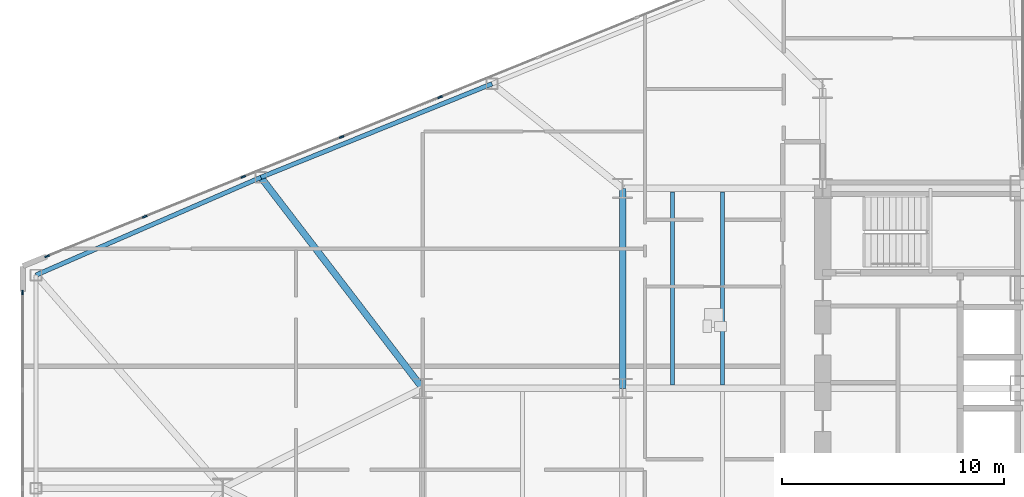
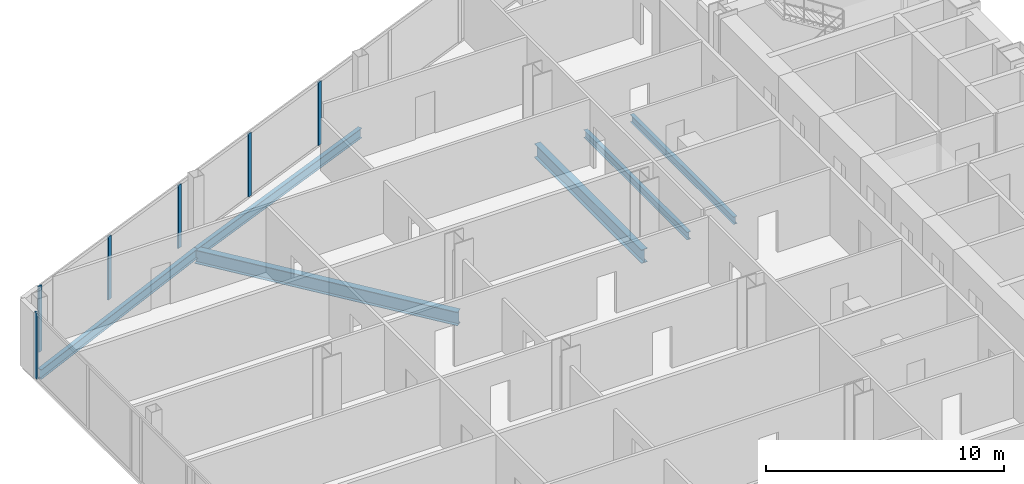
# One storey, part 6 of 25: 6 beams, 6 members, 2 elements without a shape of their own.
"""IFC4 building model written with IfcOpenShell, lengths in metres."""

from ifc_helpers import new_model, si_unit, direction, frame, origin, origin_2d, place, context, subcontext, project, spatial, rectangle, i_section, extrude, source, transform, mapped, material, layer, layer_set, material_profile, profile_set, type_object, type_shapes, element, aggregate, save


model = new_model("IFC4")

# Units and contexts
model_context = context("Model", 3, precision=1e-05, world=origin(), true_north=direction((0.0, 1.0)))
body_context = subcontext(model_context, "Body", "Model", "MODEL_VIEW")
ifc_project = project(units=[si_unit("LENGTHUNIT", "METRE"), si_unit("AREAUNIT", "SQUARE_METRE"), si_unit("VOLUMEUNIT", "CUBIC_METRE"), si_unit("PLANEANGLEUNIT", "RADIAN"), si_unit("MASSUNIT", "GRAM", prefix="KILO")], contexts=[model_context])

# Site, building, storey
site_placement = place(None, origin())
site = spatial("IfcSite", under=ifc_project, at=site_placement, CompositionType="ELEMENT")
building_placement = place(site_placement, origin())
building = spatial("IfcBuilding", under=site, at=building_placement, Name="Seokmaru Belvedere", CompositionType="ELEMENT")
storey_placement = place(building_placement, frame((0.0, 0.0, 47.699951171875)))
storey = spatial("IfcBuildingStorey", under=building, at=storey_placement, Name="L12", CompositionType="ELEMENT", Elevation=47.699951171875)

# Beams
ifc_material_1 = material(Name="Steel SM355 (355 MPa)", Category="steel")
ifc_material_profile_1 = material_profile(ifc_material_1, i_section(OverallWidth=0.300048828125, OverallDepth=0.699951171875, WebThickness=0.012939453125, FlangeThickness=0.02392578125, at=origin_2d()), Name="H-700x300x13x24")
ifc_profile_set_1 = profile_set([ifc_material_profile_1], Name="Steel SM355 (355 MPa)")
beam_type_1 = type_object("IfcBeamType", Name="Primary Floor Girder H-700", PredefinedType="BEAM", material=ifc_profile_set_1)
shared_shape_1 = source(origin(), body_context, "Body", "SweptSolid", [
    extrude(i_section(OverallWidth=0.300048828125, OverallDepth=0.699951171875, WebThickness=0.012939453125, FlangeThickness=0.02392578125, at=origin_2d()), origin(), (0.0, 0.0, 1.0), 9.0),
])
beam_1_placement = place(storey_placement, frame((-45.5, 4.5, -0.570068359375), z_axis=(0.0, 1.0, 0.0), x_axis=(-1.0, 0.0, 0.0)))
element("IfcBeam", 1, at=beam_1_placement, inside=storey, type_object=beam_type_1, Name="L12 W Interior Grid Girder 3", PredefinedType="BEAM", context=body_context, shape_type="MappedRepresentation", body=[
    mapped(shared_shape_1, transform((0.0, 0.0, 0.0), scale=1.0)),
])
ifc_material_profile_2 = material_profile(ifc_material_1, i_section(OverallWidth=0.18505859375, OverallDepth=0.389892578125, WebThickness=0.008056640625, FlangeThickness=0.011962890625, at=origin_2d()), Name="H-390x185x8x12")
ifc_profile_set_2 = profile_set([ifc_material_profile_2], Name="Steel SM355 (355 MPa)")
beam_type_2 = type_object("IfcBeamType", Name="Secondary Floor Joist H-350", PredefinedType="JOIST", material=ifc_profile_set_2)
shared_shape_2 = source(origin(), body_context, "Body", "SweptSolid", [
    extrude(i_section(OverallWidth=0.18505859375, OverallDepth=0.389892578125, WebThickness=0.008056640625, FlangeThickness=0.011962890625, at=origin_2d()), origin(), (0.0, 0.0, 1.0), 8.68994140625),
])
type_shapes(beam_type_2, [shared_shape_2])
for number, where, z_axis, x_axis, name in (
    (2, (-43.25, 4.655029296875, -0.4150390625), (0.0, 1.0, 0.0), (-1.0, 0.0, 0.0), "L12 W Wing Inner Secondary Joist 2"),
    (3, (-41.0, 4.655029296875, -0.4150390625), (0.0, 1.0, 0.0), (-1.0, 0.0, 0.0), "L12 W Secondary Floor Joist 3"),
):
    element("IfcBeam", number, at=place(storey_placement, frame(where, z_axis=z_axis, x_axis=x_axis)), inside=storey, type_object=beam_type_2, Name=name, PredefinedType="JOIST", context=body_context, shape_type="MappedRepresentation", body=[
        mapped(shared_shape_2, transform((0.0, 0.0, 0.0), scale=1.0)),
    ])
ifc_material_profile_3 = material_profile(ifc_material_1, i_section(OverallWidth=0.199951171875, OverallDepth=0.5, WebThickness=0.010009765625, FlangeThickness=0.01611328125, at=origin_2d()), Name="H-500x200x10x16")
ifc_profile_set_3 = profile_set([ifc_material_profile_3], Name="Steel SM355 (355 MPa)")
beam_type_3 = type_object("IfcBeamType", Name="Perimeter Spandrel Beam H-500", PredefinedType="SPANDREL", material=ifc_profile_set_3)
shared_shape_3 = source(origin(), body_context, "Body", "SweptSolid", [
    extrude(i_section(OverallWidth=0.199951171875, OverallDepth=0.5, WebThickness=0.010009765625, FlangeThickness=0.01611328125, at=origin_2d()), origin(), (0.0, 0.0, 1.0), 11.220703125),
])
beam_2_placement = place(storey_placement, frame((-51.378173828125, 18.2041015625, -0.469970703125), z_axis=(-0.926944290816, -0.375198989503, 0.0), x_axis=(0.375198989503, -0.926944290816, 0.0)))
element("IfcBeam", 4, at=beam_2_placement, inside=storey, type_object=beam_type_3, Name="L12 W Faceted Flank Spandrel N-3", PredefinedType="SPANDREL", context=body_context, shape_type="MappedRepresentation", body=[
    mapped(shared_shape_3, transform((0.0, 0.0, 0.0), scale=1.0)),
])
shared_shape_4 = source(origin(), body_context, "Body", "SweptSolid", [
    extrude(i_section(OverallWidth=0.199951171875, OverallDepth=0.5, WebThickness=0.010009765625, FlangeThickness=0.01611328125, at=origin_2d()), origin(), (0.0, 0.0, 1.0), 11.035400390625),
])
type_shapes(beam_type_3, [shared_shape_3, shared_shape_4])
beam_3_placement = place(storey_placement, frame((-61.779052734375, 13.994140625, -0.469970703125), z_axis=(-0.917134058682, -0.398578873507, 0.0), x_axis=(0.398578873507, -0.917134058682, 0.0)))
element("IfcBeam", 5, at=beam_3_placement, inside=storey, type_object=beam_type_3, Name="L12 W Faceted Flank Spandrel N-4", PredefinedType="SPANDREL", context=body_context, shape_type="MappedRepresentation", body=[
    mapped(shared_shape_4, transform((0.0, 0.0, 0.0), scale=1.0)),
])
shared_shape_5 = source(origin(), body_context, "Body", "SweptSolid", [
    extrude(i_section(OverallWidth=0.300048828125, OverallDepth=0.699951171875, WebThickness=0.012939453125, FlangeThickness=0.02392578125, at=origin_2d()), origin(), (0.0, 0.0, 1.0), 11.96337890625),
])
type_shapes(beam_type_1, [shared_shape_1, shared_shape_5])
beam_4_placement = place(storey_placement, frame((-61.779052734375, 13.994140625, -0.570068359375), z_axis=(0.608442682624, -0.793597821294, 0.0), x_axis=(0.793597821294, 0.608442682624, 0.0)))
element("IfcBeam", 6, at=beam_4_placement, inside=storey, type_object=beam_type_1, Name="L12 W Flank Radial Floor Girder N-3", PredefinedType="BEAM", context=body_context, shape_type="MappedRepresentation", body=[
    mapped(shared_shape_5, transform((0.0, 0.0, 0.0), scale=1.0)),
])

# Curtain wall, member
ifc_material_2 = material(Name="Bronze Triple Insulating Glass", Category="glass")
ifc_layer = layer(ifc_material_2, 0.2099609375)
ifc_layer_set = layer_set([ifc_layer], Name="Bronze Triple Insulating Glass")
curtain_wall_type = type_object("IfcCurtainWallType", Name="Low-Rise Faceted Crystal Curtain Wall System CW-2", PredefinedType="NOTDEFINED", material=ifc_layer_set)
curtain_wall_1_placement = place(storey_placement, origin())
curtain_wall_1 = element("IfcCurtainWall", 7, at=curtain_wall_1_placement, inside=storey, type_object=curtain_wall_type, Name="L12 Curtain Wall WF3", PredefinedType="NOTDEFINED")
ifc_material_3 = material(Name="Anodised Bronze Aluminium", Category="aluminium")
ifc_material_profile_4 = material_profile(ifc_material_3, rectangle(XDim=0.074951171875, YDim=0.2099609375, at=origin_2d()), Name="CW-M-75x210")
ifc_profile_set_4 = profile_set([ifc_material_profile_4], Name="Anodised Bronze Aluminium")
member_type = type_object("IfcMemberType", Name="Bronze Unitised Mullion 75x210", PredefinedType="MULLION", material=ifc_profile_set_4)
shared_shape_6 = source(origin(), body_context, "Body", "SweptSolid", [
    extrude(rectangle(XDim=0.074951171875, YDim=0.2099609375, at=origin_2d()), origin(), (0.0, 0.0, 1.0), 3.380126953125),
])
member_1_placement = place(storey_placement, frame((-71.399169921875, 10.445556640625, 0.0), z_axis=(0.0, 0.0, 1.0), x_axis=(0.375192321888, -0.926946989637, 0.0)))
member_1 = element("IfcMember", 8, at=member_1_placement, type_object=member_type, Name="CW:L12:WF3 Mullion 10", PredefinedType="MULLION", context=body_context, shape_type="MappedRepresentation", body=[
    mapped(shared_shape_6, transform((0.0, 0.0, 0.0), scale=1.0)),
])

curtain_wall_2_placement = place(storey_placement, origin())
curtain_wall_2 = element("IfcCurtainWall", 9, at=curtain_wall_2_placement, inside=storey, type_object=curtain_wall_type, Name="L12 Curtain Wall WF4", PredefinedType="NOTDEFINED")
member_2_placement = place(storey_placement, frame((-72.5, 8.8125, 0.0), z_axis=(0.0, 0.0, 1.0), x_axis=(1.0, 0.0, 0.0)))
member_2 = element("IfcMember", 10, at=member_2_placement, type_object=member_type, Name="CW:L12:WF4 Mullion 1", PredefinedType="MULLION", context=body_context, shape_type="MappedRepresentation", body=[
    mapped(shared_shape_6, transform((0.0, 0.0, 0.0), scale=1.0)),
])
aggregate(curtain_wall_2, [member_2])

# Member
shared_shape_7 = source(origin(), body_context, "Body", "SweptSolid", [
    extrude(rectangle(XDim=0.074951171875, YDim=0.2099609375, at=origin_2d()), origin(), (0.0, 0.0, 1.0), 3.239990234375),
])
type_shapes(member_type, [shared_shape_6, shared_shape_7])
member_3_placement = place(storey_placement, frame((-53.71484375, 17.603515625, 0.070068359375), z_axis=(0.0, 0.0, 1.0), x_axis=(0.375192321888, -0.926946989637, 0.0)))
member_3 = element("IfcMember", 11, at=member_3_placement, type_object=member_type, Name="CW:L12:WF3 Mullion 6", PredefinedType="MULLION", context=body_context, shape_type="MappedRepresentation", body=[
    mapped(shared_shape_7, transform((0.0, 0.0, 0.0), scale=1.0)),
])

member_4_placement = place(storey_placement, frame((-58.144775390625, 15.810546875, 0.070068359375), z_axis=(0.0, 0.0, 1.0), x_axis=(0.375192321888, -0.926946989637, 0.0)))
member_4 = element("IfcMember", 12, at=member_4_placement, type_object=member_type, Name="CW:L12:WF3 Mullion 7", PredefinedType="MULLION", context=body_context, shape_type="MappedRepresentation", body=[
    mapped(shared_shape_7, transform((0.0, 0.0, 0.0), scale=1.0)),
])

member_5_placement = place(storey_placement, frame((-62.574462890625, 14.017578125, 0.070068359375), z_axis=(0.0, 0.0, 1.0), x_axis=(0.375192321888, -0.926946989637, 0.0)))
member_5 = element("IfcMember", 13, at=member_5_placement, type_object=member_type, Name="CW:L12:WF3 Mullion 8", PredefinedType="MULLION", context=body_context, shape_type="MappedRepresentation", body=[
    mapped(shared_shape_7, transform((0.0, 0.0, 0.0), scale=1.0)),
])

member_6_placement = place(storey_placement, frame((-67.004150390625, 12.224609375, 0.070068359375), z_axis=(0.0, 0.0, 1.0), x_axis=(0.375192321888, -0.926946989637, 0.0)))
member_6 = element("IfcMember", 14, at=member_6_placement, type_object=member_type, Name="CW:L12:WF3 Mullion 9", PredefinedType="MULLION", context=body_context, shape_type="MappedRepresentation", body=[
    mapped(shared_shape_7, transform((0.0, 0.0, 0.0), scale=1.0)),
])

aggregate(curtain_wall_1, [member_3, member_4, member_5, member_6, member_1])

save(model, "model.ifc")
